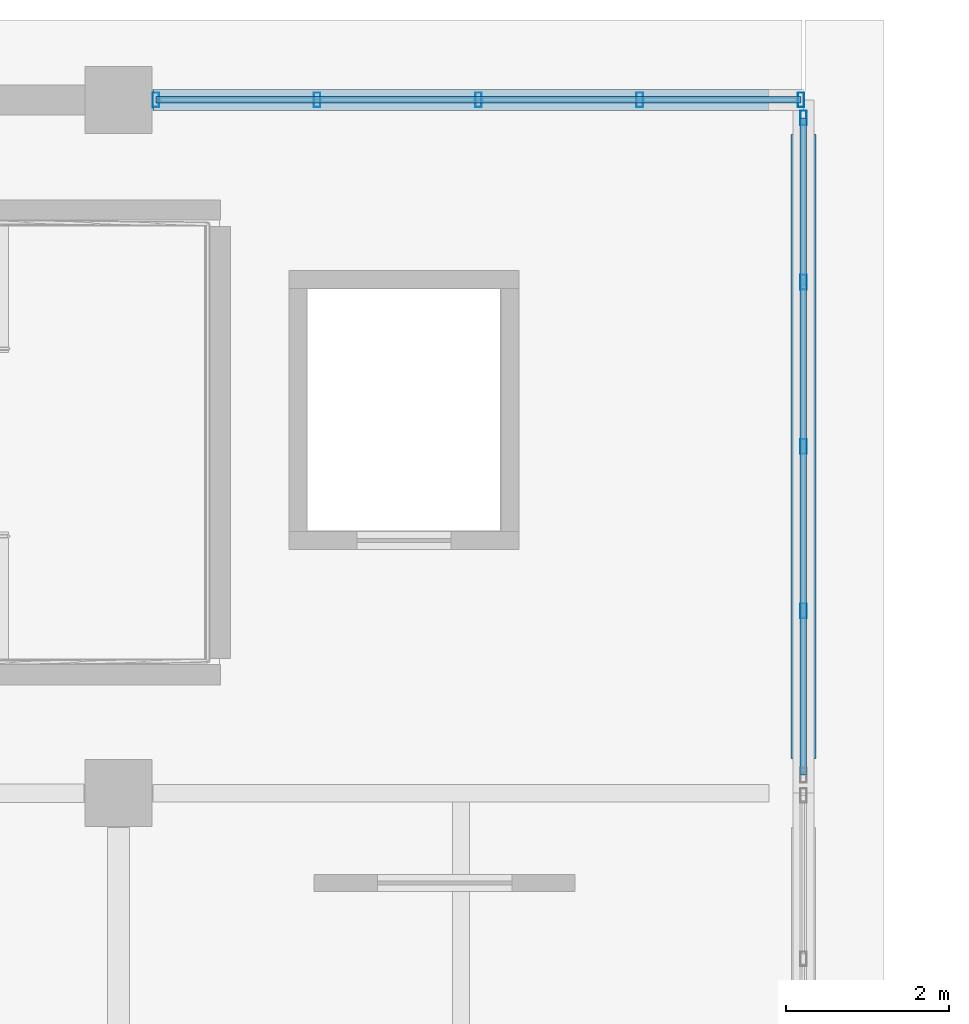
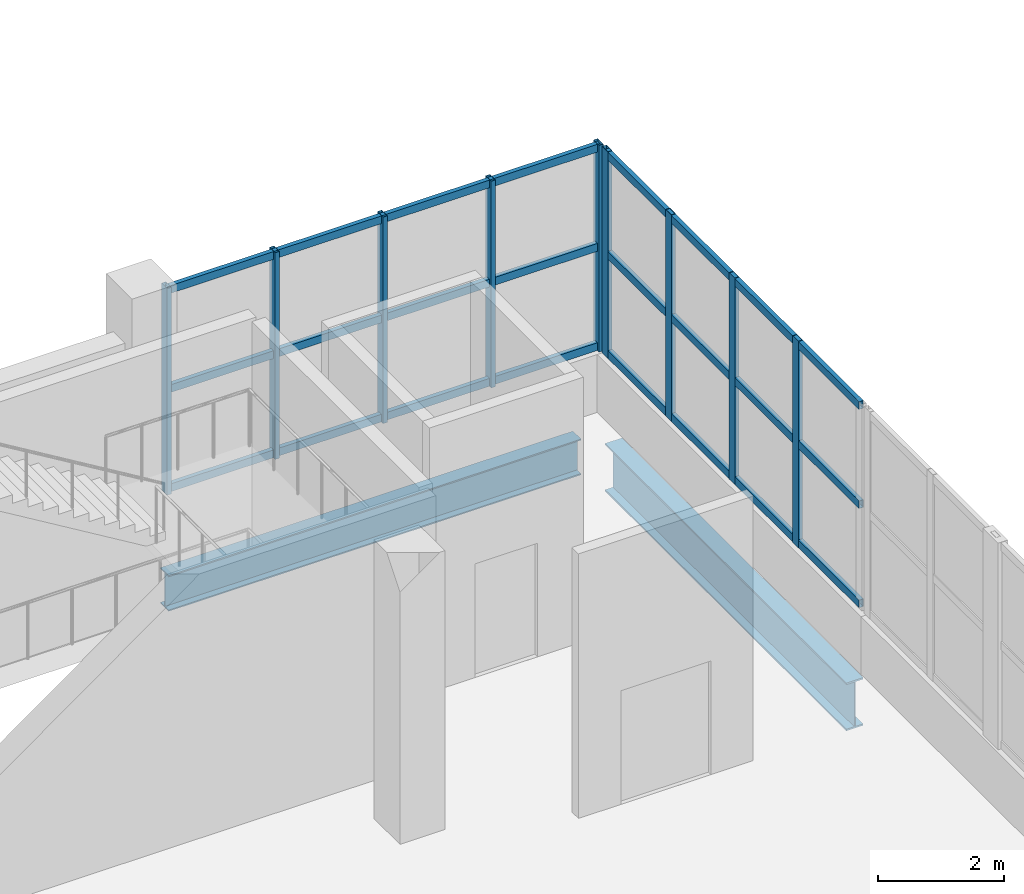
# One storey, part 71 of 107: 15 members, 2 beams, 2 elements without a shape of their own.
"""IFC4 building model written with IfcOpenShell, lengths in metres."""

import ifcopenshell
import ifcopenshell.guid

model = None  # the IFC model being written
_history = None  # IfcOwnerHistory: only IFC2X3 demands one
_inside = {}  # id of a spatial element -> (the spatial element, [elements in it])
_under = {}  # id of a project, library or spatial element -> (it, [spatial elements below it])
_declared = {}  # id of a project -> (the project, [libraries it declares])
_typed = {}  # id of a type object -> (the type object, [elements of that type])
_made_of = {}  # id of a material, layer set ... -> (it, [elements and type objects made of it])


def new_model(schema):
    """Start an empty IFC model of exactly this schema.

    Asked for "IFC4X3", IfcOpenShell would pick the latest addendum, in which some entities
    have other attributes; the version numbers below select the first issue.
    IFC2X3 requires an IfcOwnerHistory on every rooted entity: one is made here for all.
    """
    global model, _history
    if schema == "IFC4X3":
        model = ifcopenshell.file(schema_version=(4, 3, 0, 0))
    else:
        model = ifcopenshell.file(schema=schema)
    _inside.clear()
    _under.clear()
    _declared.clear()
    _typed.clear()
    _made_of.clear()
    _history = None
    if model.schema == "IFC2X3":
        org = make("IfcOrganization", Name="unknown")
        user = make(
            "IfcPersonAndOrganization",
            ThePerson=make("IfcPerson", FamilyName="unknown"),
            TheOrganization=org,
        )
        app = make(
            "IfcApplication",
            ApplicationDeveloper=org,
            Version="unknown",
            ApplicationFullName="unknown",
            ApplicationIdentifier="unknown",
        )
        _history = make(
            "IfcOwnerHistory",
            OwningUser=user,
            OwningApplication=app,
            ChangeAction="ADDED",
            CreationDate=0,
        )
    return model


def make(cls, **values):
    """One entity of the class cls with the attributes given. An attribute that is None is left unset."""
    return model.create_entity(
        cls, **{name: value for name, value in values.items() if value is not None}
    )


def rooted(cls, **values):
    """An entity with a GlobalId (a new one), such as an element, a storey or a relation."""
    return make(cls, GlobalId=ifcopenshell.guid.new(), OwnerHistory=_history, **values)


def si_unit(unit_type, name, prefix=None):
    """IfcSIUnit, for example si_unit("LENGTHUNIT", "METRE", prefix="MILLI")."""
    return make("IfcSIUnit", UnitType=unit_type, Prefix=prefix, Name=name)


def assignment(units):
    """IfcUnitAssignment: the units of a project."""
    return None if units is None else make("IfcUnitAssignment", Units=units)


def point(xyz):
    """IfcCartesianPoint."""
    return None if xyz is None else make("IfcCartesianPoint", Coordinates=xyz)


def direction(xyz):
    """IfcDirection."""
    return None if xyz is None else make("IfcDirection", DirectionRatios=xyz)


def frame(location, z_axis=None, x_axis=None):
    """IfcAxis2Placement3D, a coordinate frame: its origin and axes. An axis left out is left unset."""
    return make(
        "IfcAxis2Placement3D",
        Location=point(location),
        Axis=direction(z_axis),
        RefDirection=direction(x_axis),
    )


def frame_2d(location, x_axis=None):
    """IfcAxis2Placement2D, a coordinate frame in the plane: its origin and x axis."""
    return make(
        "IfcAxis2Placement2D", Location=point(location), RefDirection=direction(x_axis)
    )


def origin():
    """The frame at (0, 0, 0) with its axes left unset."""
    return frame((0.0, 0.0, 0.0))


def origin_2d():
    """The frame at (0, 0) in the plane with its x axis left unset."""
    return frame_2d((0.0, 0.0))


def place(relative_to, where):
    """IfcLocalPlacement: puts the frame where relative to a parent placement (None: the world)."""
    return make(
        "IfcLocalPlacement", PlacementRelTo=relative_to, RelativePlacement=where
    )


def context(
    kind, dimensions, precision=None, world=None, true_north=None, identifier=None
):
    """IfcGeometricRepresentationContext, for example the 3D "Model" context."""
    return make(
        "IfcGeometricRepresentationContext",
        ContextIdentifier=identifier,
        ContextType=kind,
        CoordinateSpaceDimension=dimensions,
        Precision=precision,
        WorldCoordinateSystem=world,
        TrueNorth=true_north,
    )


def subcontext(parent, identifier, kind, view, scale=None):
    """IfcGeometricRepresentationSubContext, for example "Body" below "Model"."""
    return make(
        "IfcGeometricRepresentationSubContext",
        ContextIdentifier=identifier,
        ContextType=kind,
        ParentContext=parent,
        TargetScale=scale,
        TargetView=view,
    )


def project(units=None, contexts=None):
    """IfcProject with its units and contexts."""
    return rooted(
        "IfcProject",
        Name="project",
        RepresentationContexts=contexts,
        UnitsInContext=assignment(units),
    )


def spatial(cls, under=None, at=None, **own):
    """A site, building, storey or space (cls), placed at a placement, below another one or the project."""
    s = rooted(cls, ObjectPlacement=at, **own)
    if under is not None:
        _under.setdefault(under.id(), (under, []))[1].append(s)
    return s


def profile(cls, at=None, kind="AREA", **sizes):
    """A parametric profile (cls). Its sizes go by their IFC names, for example OverallWidth=200.0."""
    return make(cls, ProfileType=kind, Position=at, **sizes)


def hollow_rectangle(**sizes):
    """IfcRectangleHollowProfileDef."""
    return profile("IfcRectangleHollowProfileDef", **sizes)


def i_section(**sizes):
    """IfcIShapeProfileDef."""
    return profile("IfcIShapeProfileDef", **sizes)


def extrude(swept, where, along, depth):
    """IfcExtrudedAreaSolid: the profile swept, set in the frame where, extruded along a direction by depth."""
    return make(
        "IfcExtrudedAreaSolid",
        SweptArea=swept,
        Position=where,
        ExtrudedDirection=direction(along),
        Depth=depth,
    )


def shape(context_of_items, identifier, shape_type, items):
    """IfcShapeRepresentation: the items that make up one representation, for example the "Body"."""
    return make(
        "IfcShapeRepresentation",
        ContextOfItems=context_of_items,
        RepresentationIdentifier=identifier,
        RepresentationType=shape_type,
        Items=items,
    )


def material(Name=None, Category=None):
    """IfcMaterial."""
    return make("IfcMaterial", Name=Name, Category=Category)


def material_profile(
    of_material, cross_section, Name=None, Category=None, Priority=None
):
    """IfcMaterialProfile: a cross section and its material."""
    return make(
        "IfcMaterialProfile",
        Name=Name,
        Material=of_material,
        Profile=cross_section,
        Priority=Priority,
        Category=Category,
    )


def profile_set(profiles, Name=None, composite=None):
    """IfcMaterialProfileSet."""
    return make(
        "IfcMaterialProfileSet",
        Name=Name,
        MaterialProfiles=profiles,
        CompositeProfile=composite,
    )


def made_of(thing, what):
    """Note that an element or type object is made of a material, layer set ...; save() writes the relation."""
    if what is not None:
        _made_of.setdefault(what.id(), (what, []))[1].append(thing)
    return thing


def type_object(cls, material=None, **own):
    """A type object (cls), such as IfcWallType, which elements share."""
    return made_of(rooted(cls, **own), material)


def element(
    cls,
    number,
    at=None,
    inside=None,
    cuts=None,
    type_object=None,
    material=None,
    context=None,
    identifier="Body",
    shape_type=None,
    held_by="IfcProductDefinitionShape",
    body=None,
    shapes=None,
    **own,
):
    """One element of the class cls, such as IfcWall. Its Tag is "e" and its number.

    at: its placement. inside: the storey or other place that contains it. cuts: it is an
    opening in that element (IfcRelVoidsElement). A single representation is given by context,
    identifier, shape_type and body (its items); several are given by shapes. held_by: the class
    of the entity that holds the representations. save() writes the other relations.
    """
    e = rooted(cls, Tag="e%d" % number, ObjectPlacement=at, **own)
    if body is not None:
        shapes = [shape(context, identifier, shape_type, body)]
    if shapes is not None:
        e.Representation = make(held_by, Representations=shapes)
    if inside is not None:
        _inside.setdefault(inside.id(), (inside, []))[1].append(e)
    if cuts is not None:
        rooted(
            "IfcRelVoidsElement", RelatingBuildingElement=cuts, RelatedOpeningElement=e
        )
    if type_object is not None:
        _typed.setdefault(type_object.id(), (type_object, []))[1].append(e)
    return made_of(e, material)


def aggregate(whole, parts):
    """IfcRelAggregates: a whole, such as a stair, and the parts it consists of."""
    return rooted("IfcRelAggregates", RelatingObject=whole, RelatedObjects=parts)


def save(model, path):
    """Write the relations noted so far, then the file.

    IfcRelAggregates (storeys below a building ...), IfcRelContainedInSpatialStructure (elements
    in a storey), IfcRelDefinesByType, IfcRelAssociatesMaterial and IfcRelDeclares: one each for
    every whole, place, type object, material and project.
    """
    for whole, parts in _under.values():
        aggregate(whole, parts)
    for where, things in _inside.values():
        rooted(
            "IfcRelContainedInSpatialStructure",
            RelatedElements=things,
            RelatingStructure=where,
        )
    for kind, things in _typed.values():
        rooted("IfcRelDefinesByType", RelatedObjects=things, RelatingType=kind)
    for what, things in _made_of.values():
        rooted("IfcRelAssociatesMaterial", RelatedObjects=things, RelatingMaterial=what)
    for by, libraries in _declared.values():
        rooted("IfcRelDeclares", RelatingContext=by, RelatedDefinitions=libraries)
    model.write(path)


model = new_model("IFC4")

# Units and contexts
model_context = context("Model", 3, precision=1e-05, world=origin(), true_north=direction((0.0, 1.0)))
body_context = subcontext(model_context, "Body", "Model", "MODEL_VIEW")
ifc_project = project(units=[si_unit("LENGTHUNIT", "METRE"), si_unit("AREAUNIT", "SQUARE_METRE"), si_unit("VOLUMEUNIT", "CUBIC_METRE"), si_unit("PLANEANGLEUNIT", "RADIAN"), si_unit("MASSUNIT", "GRAM", prefix="KILO")], contexts=[model_context])

# Site, building, storey
site_placement = place(None, origin())
site = spatial("IfcSite", under=ifc_project, at=site_placement, CompositionType="ELEMENT")
building_placement = place(site_placement, origin())
building = spatial("IfcBuilding", under=site, at=building_placement, Name="Solvento Point Concert Hall", CompositionType="ELEMENT")
storey_placement = place(building_placement, origin())
storey = spatial("IfcBuildingStorey", under=building, at=storey_placement, Name="L00", CompositionType="ELEMENT", Elevation=0.0)

# Beams
ifc_material_1 = material(Name="Structural Steel ASTM A992 Grade 50", Category="steel")
ifc_material_profile_1 = material_profile(ifc_material_1, i_section(OverallWidth=0.256103515625, OverallDepth=0.693115234375, WebThickness=0.014404296875, FlangeThickness=0.023681640625, at=origin_2d()), Name="W27X114")
ifc_profile_set_1 = profile_set([ifc_material_profile_1], Name="Structural Steel ASTM A992 Grade 50")
beam_type_1 = type_object("IfcBeamType", Name="Girder_W27X114", PredefinedType="USERDEFINED", material=ifc_profile_set_1)
beam_1_placement = place(storey_placement, frame((66.424072265625, 136.0, -0.760498046875), z_axis=(1.0, 0.0, 0.0), x_axis=(0.0, 1.0, 0.0)))
element("IfcBeam", 1, at=beam_1_placement, inside=storey, type_object=beam_type_1, Name="Primary girder B-23 L00", ObjectType="GIRDER", PredefinedType="USERDEFINED", context=body_context, shape_type="SweptSolid", body=[
    extrude(i_section(OverallWidth=0.256103515625, OverallDepth=0.693115234375, WebThickness=0.014404296875, FlangeThickness=0.023681640625, at=origin_2d()), origin(), (0.0, 0.0, 1.0), 7.552001953125),
])
ifc_material_2 = material(Name="Structural Steel ASTM A992 Grade 50", Category="steel")
ifc_material_profile_2 = material_profile(ifc_material_2, i_section(OverallWidth=0.3076171875, OverallDepth=0.927001953125, WebThickness=0.019287109375, FlangeThickness=0.031982421875, at=origin_2d()), Name="W36X194")
ifc_profile_set_2 = profile_set([ifc_material_profile_2], Name="Structural Steel ASTM A992 Grade 50")
beam_type_2 = type_object("IfcBeamType", Name="Girder_W36X194", PredefinedType="USERDEFINED", material=ifc_profile_set_2)
beam_2_placement = place(storey_placement, frame((74.39990234375, 127.924072265625, -0.87744140625), z_axis=(0.0, 1.0, 0.0), x_axis=(-1.0, 0.0, 0.0)))
element("IfcBeam", 2, at=beam_2_placement, inside=storey, type_object=beam_type_2, Name="Primary girder B-61 L00", ObjectType="GIRDER", PredefinedType="USERDEFINED", context=body_context, shape_type="SweptSolid", body=[
    extrude(i_section(OverallWidth=0.3076171875, OverallDepth=0.927001953125, WebThickness=0.019287109375, FlangeThickness=0.031982421875, at=origin_2d()), origin(), (0.0, 0.0, 1.0), 7.65185546875),
])

# Curtain wall, members
ifc_material_3 = material(Name="Anodized Bronze Aluminium", Category="aluminium")
curtain_wall_type = type_object("IfcCurtainWallType", Name="CurtainWall_CourtPilotis", PredefinedType="USERDEFINED", material=ifc_material_3)
curtain_wall_1_placement = place(storey_placement, origin())
curtain_wall_1 = element("IfcCurtainWall", 3, at=curtain_wall_1_placement, inside=storey, type_object=curtain_wall_type, Name="Unitised curtain wall CW-96 UCW-L00-031", ObjectType="UNITISED CURTAIN WALL", PredefinedType="USERDEFINED")
ifc_material_4 = material(Name="Anodized Bronze Aluminium", Category="aluminium")
ifc_material_profile_3 = material_profile(ifc_material_4, hollow_rectangle(XDim=0.080078125, YDim=0.179931640625, WallThickness=0.00390625, at=origin_2d()), Name="CW-MUL-80X180")
ifc_profile_set_3 = profile_set([ifc_material_profile_3], Name="Anodized Bronze Aluminium")
member_type_1 = type_object("IfcMemberType", Name="Mullion_80x180", PredefinedType="MULLION", material=ifc_profile_set_3)
member_1_placement = place(storey_placement, frame((66.4599609375, 136.0, 1.1201171875), z_axis=(0.0, 0.0, 1.0), x_axis=(1.0, 0.0, 0.0)))
member_1 = element("IfcMember", 4, at=member_1_placement, type_object=member_type_1, Name="Curtain wall mullion ML-01", PredefinedType="MULLION", context=body_context, shape_type="SweptSolid", body=[
    extrude(hollow_rectangle(XDim=0.080078125, YDim=0.179931640625, WallThickness=0.00390625, at=origin_2d()), origin(), (0.0, 0.0, 1.0), 4.0),
])
member_2_placement = place(storey_placement, frame((68.4375, 136.0, 1.1201171875), z_axis=(0.0, 0.0, 1.0), x_axis=(1.0, 0.0, 0.0)))
member_2 = element("IfcMember", 5, at=member_2_placement, type_object=member_type_1, Name="Curtain wall mullion ML-01", PredefinedType="MULLION", context=body_context, shape_type="SweptSolid", body=[
    extrude(hollow_rectangle(XDim=0.080078125, YDim=0.179931640625, WallThickness=0.00390625, at=origin_2d()), origin(), (0.0, 0.0, 1.0), 4.0),
])
member_3_placement = place(storey_placement, frame((70.4150390625, 136.0, 1.1201171875), z_axis=(0.0, 0.0, 1.0), x_axis=(1.0, 0.0, 0.0)))
member_3 = element("IfcMember", 6, at=member_3_placement, type_object=member_type_1, Name="Curtain wall mullion ML-01", PredefinedType="MULLION", context=body_context, shape_type="SweptSolid", body=[
    extrude(hollow_rectangle(XDim=0.080078125, YDim=0.179931640625, WallThickness=0.00390625, at=origin_2d()), origin(), (0.0, 0.0, 1.0), 4.0),
])
member_4_placement = place(storey_placement, frame((72.392578125, 136.0, 1.1201171875), z_axis=(0.0, 0.0, 1.0), x_axis=(1.0, 0.0, 0.0)))
member_4 = element("IfcMember", 7, at=member_4_placement, type_object=member_type_1, Name="Curtain wall mullion ML-01", PredefinedType="MULLION", context=body_context, shape_type="SweptSolid", body=[
    extrude(hollow_rectangle(XDim=0.080078125, YDim=0.179931640625, WallThickness=0.00390625, at=origin_2d()), origin(), (0.0, 0.0, 1.0), 4.0),
])
member_5_placement = place(storey_placement, frame((74.3701171875, 136.0, 1.1201171875), z_axis=(0.0, 0.0, 1.0), x_axis=(1.0, 0.0, 0.0)))
member_5 = element("IfcMember", 8, at=member_5_placement, type_object=member_type_1, Name="Curtain wall mullion ML-01", PredefinedType="MULLION", context=body_context, shape_type="SweptSolid", body=[
    extrude(hollow_rectangle(XDim=0.080078125, YDim=0.179931640625, WallThickness=0.00390625, at=origin_2d()), origin(), (0.0, 0.0, 1.0), 4.0),
])

curtain_wall_2_placement = place(storey_placement, origin())
curtain_wall_2 = element("IfcCurtainWall", 9, at=curtain_wall_2_placement, inside=storey, type_object=curtain_wall_type, Name="Unitised curtain wall CW-96 UCW-L00-033", ObjectType="UNITISED CURTAIN WALL", PredefinedType="USERDEFINED")
member_6_placement = place(storey_placement, frame((74.39990234375, 129.735107421875, 1.1201171875), z_axis=(0.0, 0.0, 1.0), x_axis=(1.0, 0.0, 0.0)))
member_6 = element("IfcMember", 10, at=member_6_placement, type_object=member_type_1, Name="Curtain wall mullion ML-01", PredefinedType="MULLION", context=body_context, shape_type="SweptSolid", body=[
    extrude(hollow_rectangle(XDim=0.080078125, YDim=0.179931640625, WallThickness=0.00390625, at=origin_2d()), origin(), (0.0, 0.0, 1.0), 4.0),
])
member_7_placement = place(storey_placement, frame((74.39990234375, 131.75, 1.1201171875), z_axis=(0.0, 0.0, 1.0), x_axis=(1.0, 0.0, 0.0)))
member_7 = element("IfcMember", 11, at=member_7_placement, type_object=member_type_1, Name="Curtain wall mullion ML-01", PredefinedType="MULLION", context=body_context, shape_type="SweptSolid", body=[
    extrude(hollow_rectangle(XDim=0.080078125, YDim=0.179931640625, WallThickness=0.00390625, at=origin_2d()), origin(), (0.0, 0.0, 1.0), 4.0),
])
member_8_placement = place(storey_placement, frame((74.39990234375, 133.764892578125, 1.1201171875), z_axis=(0.0, 0.0, 1.0), x_axis=(1.0, 0.0, 0.0)))
member_8 = element("IfcMember", 12, at=member_8_placement, type_object=member_type_1, Name="Curtain wall mullion ML-01", PredefinedType="MULLION", context=body_context, shape_type="SweptSolid", body=[
    extrude(hollow_rectangle(XDim=0.080078125, YDim=0.179931640625, WallThickness=0.00390625, at=origin_2d()), origin(), (0.0, 0.0, 1.0), 4.0),
])
member_9_placement = place(storey_placement, frame((74.39990234375, 135.780029296875, 1.1201171875), z_axis=(0.0, 0.0, 1.0), x_axis=(1.0, 0.0, 0.0)))
member_9 = element("IfcMember", 13, at=member_9_placement, type_object=member_type_1, Name="Curtain wall mullion ML-01", PredefinedType="MULLION", context=body_context, shape_type="SweptSolid", body=[
    extrude(hollow_rectangle(XDim=0.080078125, YDim=0.179931640625, WallThickness=0.00390625, at=origin_2d()), origin(), (0.0, 0.0, 1.0), 4.0),
])

# Member
ifc_material_5 = material(Name="Anodized Bronze Aluminium", Category="aluminium")
ifc_material_profile_4 = material_profile(ifc_material_5, hollow_rectangle(XDim=0.080078125, YDim=0.14990234375, WallThickness=0.00390625, at=origin_2d()), Name="CW-TRN-80X150")
ifc_profile_set_4 = profile_set([ifc_material_profile_4], Name="Anodized Bronze Aluminium")
member_type_2 = type_object("IfcMemberType", Name="Transom_80x150", PredefinedType="USERDEFINED", material=ifc_profile_set_4)
member_10_placement = place(storey_placement, frame((66.4599609375, 136.0, 1.199951171875), z_axis=(1.0, 0.0, 0.0), x_axis=(0.0, 1.0, 0.0)))
member_10 = element("IfcMember", 14, at=member_10_placement, type_object=member_type_2, Name="Curtain wall transom TR-01", ObjectType="TRANSOM", PredefinedType="USERDEFINED", context=body_context, shape_type="SweptSolid", body=[
    extrude(hollow_rectangle(XDim=0.080078125, YDim=0.14990234375, WallThickness=0.00390625, at=origin_2d()), origin(), (0.0, 0.0, 1.0), 7.91015625),
])

member_11_placement = place(storey_placement, frame((66.4599609375, 136.0, 3.1201171875), z_axis=(1.0, 0.0, 0.0), x_axis=(0.0, 1.0, 0.0)))
member_11 = element("IfcMember", 15, at=member_11_placement, type_object=member_type_2, Name="Curtain wall transom TR-01", ObjectType="TRANSOM", PredefinedType="USERDEFINED", context=body_context, shape_type="SweptSolid", body=[
    extrude(hollow_rectangle(XDim=0.080078125, YDim=0.14990234375, WallThickness=0.00390625, at=origin_2d()), origin(), (0.0, 0.0, 1.0), 7.91015625),
])

member_12_placement = place(storey_placement, frame((66.4599609375, 136.0, 5.0400390625), z_axis=(1.0, 0.0, 0.0), x_axis=(0.0, 1.0, 0.0)))
member_12 = element("IfcMember", 16, at=member_12_placement, type_object=member_type_2, Name="Curtain wall transom TR-01", ObjectType="TRANSOM", PredefinedType="USERDEFINED", context=body_context, shape_type="SweptSolid", body=[
    extrude(hollow_rectangle(XDim=0.080078125, YDim=0.14990234375, WallThickness=0.00390625, at=origin_2d()), origin(), (0.0, 0.0, 1.0), 7.91015625),
])

aggregate(curtain_wall_1, [member_1, member_2, member_3, member_4, member_5, member_10, member_11, member_12])

member_13_placement = place(storey_placement, frame((74.39990234375, 127.719970703125, 1.199951171875), z_axis=(0.0, 1.0, 0.0), x_axis=(-1.0, 0.0, 0.0)))
member_13 = element("IfcMember", 17, at=member_13_placement, type_object=member_type_2, Name="Curtain wall transom TR-01", ObjectType="TRANSOM", PredefinedType="USERDEFINED", context=body_context, shape_type="SweptSolid", body=[
    extrude(hollow_rectangle(XDim=0.080078125, YDim=0.14990234375, WallThickness=0.00390625, at=origin_2d()), origin(), (0.0, 0.0, 1.0), 8.06005859375),
])

member_14_placement = place(storey_placement, frame((74.39990234375, 127.719970703125, 3.1201171875), z_axis=(0.0, 1.0, 0.0), x_axis=(-1.0, 0.0, 0.0)))
member_14 = element("IfcMember", 18, at=member_14_placement, type_object=member_type_2, Name="Curtain wall transom TR-01", ObjectType="TRANSOM", PredefinedType="USERDEFINED", context=body_context, shape_type="SweptSolid", body=[
    extrude(hollow_rectangle(XDim=0.080078125, YDim=0.14990234375, WallThickness=0.00390625, at=origin_2d()), origin(), (0.0, 0.0, 1.0), 8.06005859375),
])

member_15_placement = place(storey_placement, frame((74.39990234375, 127.719970703125, 5.0400390625), z_axis=(0.0, 1.0, 0.0), x_axis=(-1.0, 0.0, 0.0)))
member_15 = element("IfcMember", 19, at=member_15_placement, type_object=member_type_2, Name="Curtain wall transom TR-01", ObjectType="TRANSOM", PredefinedType="USERDEFINED", context=body_context, shape_type="SweptSolid", body=[
    extrude(hollow_rectangle(XDim=0.080078125, YDim=0.14990234375, WallThickness=0.00390625, at=origin_2d()), origin(), (0.0, 0.0, 1.0), 8.06005859375),
])

aggregate(curtain_wall_2, [member_6, member_7, member_8, member_9, member_13, member_14, member_15])

save(model, "model.ifc")
